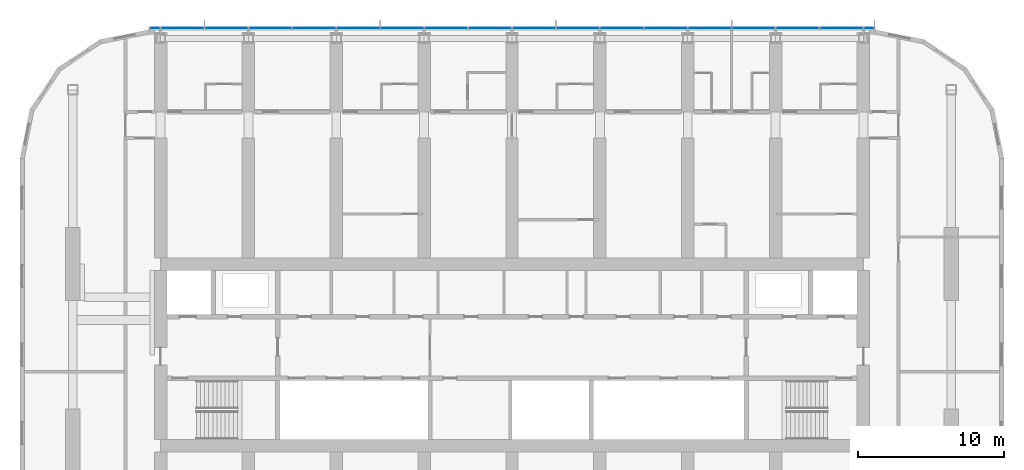
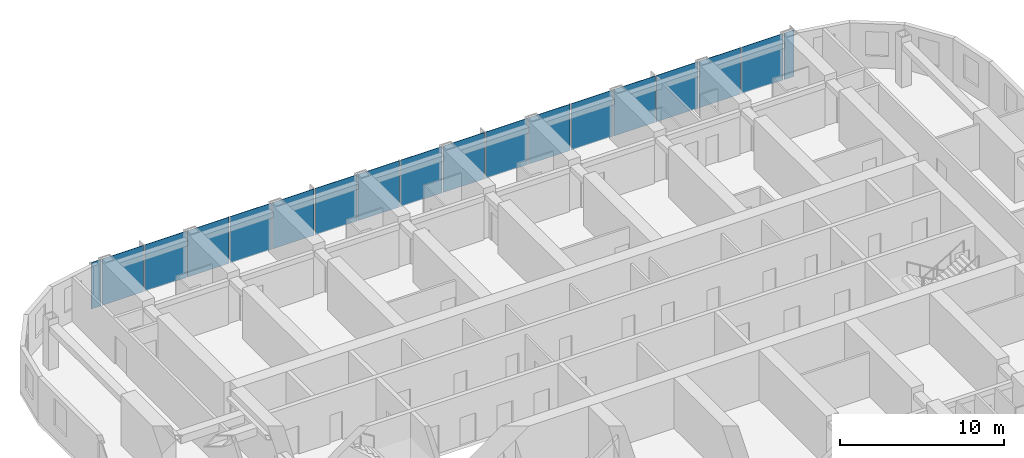
# One storey, part 9 of 22: 18 plates, 1 element without a shape of its own.
"""IFC4 building model written with IfcOpenShell, lengths in metres."""

from ifc_helpers import new_model, si_unit, direction, frame, origin, origin_2d, place, context, subcontext, project, spatial, rectangle, extrude, material, layer, layer_set, type_object, element, aggregate, save


model = new_model("IFC4")

# Units and contexts
model_context = context("Model", 3, precision=1e-05, world=origin(), true_north=direction((0.0, 1.0)))
body_context = subcontext(model_context, "Body", "Model", "MODEL_VIEW")
ifc_project = project(units=[si_unit("LENGTHUNIT", "METRE"), si_unit("AREAUNIT", "SQUARE_METRE"), si_unit("VOLUMEUNIT", "CUBIC_METRE"), si_unit("PLANEANGLEUNIT", "RADIAN"), si_unit("MASSUNIT", "GRAM", prefix="KILO")], contexts=[model_context])

# Site, building, storey
site_placement = place(None, origin())
site = spatial("IfcSite", under=ifc_project, at=site_placement, CompositionType="ELEMENT")
building_placement = place(site_placement, origin())
building = spatial("IfcBuilding", under=site, at=building_placement, Name="Orbita Commons", CompositionType="ELEMENT")
storey_placement = place(building_placement, frame((0.0, 0.0, 189.85009765625)))
storey = spatial("IfcBuildingStorey", under=building, at=storey_placement, Name="L47", CompositionType="ELEMENT", Elevation=189.85009765625)

# Curtain wall, plates
ifc_material_1 = material(Name="Anodised aluminium frame, pale silver", Category="aluminium")
curtain_wall_type = type_object("IfcCurtainWallType", Name="Unitised curtain wall CW-U, full-height vision", PredefinedType="NOTDEFINED", material=ifc_material_1)
curtain_wall_placement = place(storey_placement, origin())
curtain_wall = element("IfcCurtainWall", 1, at=curtain_wall_placement, inside=storey, type_object=curtain_wall_type, Name="Curtain wall north L47", PredefinedType="NOTDEFINED")
ifc_material_2 = material(Name="Clear double glazing", Category="glass")
ifc_layer = layer(ifc_material_2, 0.031982421875)
ifc_layer_set = layer_set([ifc_layer], Name="Clear double glazing")
plate_type = type_object("IfcPlateType", Name="Full-height vision panel, clear glazing 32", PredefinedType="CURTAIN_PANEL", material=ifc_layer_set)
plate_1_placement = place(storey_placement, frame((66.3798828125, 54.31005859375, -0.14990234375), z_axis=(0.0, 0.0, 1.0), x_axis=(-1.0, 0.0, 0.0)))
plate_1 = element("IfcPlate", 2, at=plate_1_placement, type_object=plate_type, Name="Panel 1.1 CW-L47-N", PredefinedType="CURTAIN_PANEL", context=body_context, shape_type="SweptSolid", body=[
    extrude(rectangle(XDim=0.679931640625, YDim=0.031982421875, at=origin_2d()), origin(), (0.0, 0.0, 1.0), 3.449951171875),
])
plate_2_placement = place(storey_placement, frame((64.5, 54.31005859375, -0.14990234375), z_axis=(0.0, 0.0, 1.0), x_axis=(-1.0, 0.0, 0.0)))
plate_2 = element("IfcPlate", 3, at=plate_2_placement, type_object=plate_type, Name="Panel 2.1 CW-L47-N", PredefinedType="CURTAIN_PANEL", context=body_context, shape_type="SweptSolid", body=[
    extrude(rectangle(XDim=2.919921875, YDim=0.031982421875, at=origin_2d()), origin(), (0.0, 0.0, 1.0), 3.449951171875),
])
plate_3_placement = place(storey_placement, frame((61.5, 54.31005859375, -0.14990234375), z_axis=(0.0, 0.0, 1.0), x_axis=(-1.0, 0.0, 0.0)))
plate_3 = element("IfcPlate", 4, at=plate_3_placement, type_object=plate_type, Name="Panel 3.1 CW-L47-N", PredefinedType="CURTAIN_PANEL", context=body_context, shape_type="SweptSolid", body=[
    extrude(rectangle(XDim=2.919921875, YDim=0.031982421875, at=origin_2d()), origin(), (0.0, 0.0, 1.0), 3.449951171875),
])
plate_4_placement = place(storey_placement, frame((58.5, 54.31005859375, -0.14990234375), z_axis=(0.0, 0.0, 1.0), x_axis=(-1.0, 0.0, 0.0)))
plate_4 = element("IfcPlate", 5, at=plate_4_placement, type_object=plate_type, Name="Panel 4.1 CW-L47-N", PredefinedType="CURTAIN_PANEL", context=body_context, shape_type="SweptSolid", body=[
    extrude(rectangle(XDim=2.919921875, YDim=0.031982421875, at=origin_2d()), origin(), (0.0, 0.0, 1.0), 3.449951171875),
])
plate_5_placement = place(storey_placement, frame((55.5, 54.31005859375, -0.14990234375), z_axis=(0.0, 0.0, 1.0), x_axis=(-1.0, 0.0, 0.0)))
plate_5 = element("IfcPlate", 6, at=plate_5_placement, type_object=plate_type, Name="Panel 5.1 CW-L47-N", PredefinedType="CURTAIN_PANEL", context=body_context, shape_type="SweptSolid", body=[
    extrude(rectangle(XDim=2.919921875, YDim=0.031982421875, at=origin_2d()), origin(), (0.0, 0.0, 1.0), 3.449951171875),
])
plate_6_placement = place(storey_placement, frame((52.5, 54.31005859375, -0.14990234375), z_axis=(0.0, 0.0, 1.0), x_axis=(-1.0, 0.0, 0.0)))
plate_6 = element("IfcPlate", 7, at=plate_6_placement, type_object=plate_type, Name="Panel 6.1 CW-L47-N", PredefinedType="CURTAIN_PANEL", context=body_context, shape_type="SweptSolid", body=[
    extrude(rectangle(XDim=2.919921875, YDim=0.031982421875, at=origin_2d()), origin(), (0.0, 0.0, 1.0), 3.449951171875),
])
plate_7_placement = place(storey_placement, frame((49.5, 54.31005859375, -0.14990234375), z_axis=(0.0, 0.0, 1.0), x_axis=(-1.0, 0.0, 0.0)))
plate_7 = element("IfcPlate", 8, at=plate_7_placement, type_object=plate_type, Name="Panel 7.1 CW-L47-N", PredefinedType="CURTAIN_PANEL", context=body_context, shape_type="SweptSolid", body=[
    extrude(rectangle(XDim=2.919921875, YDim=0.031982421875, at=origin_2d()), origin(), (0.0, 0.0, 1.0), 3.449951171875),
])
plate_8_placement = place(storey_placement, frame((46.5, 54.31005859375, -0.14990234375), z_axis=(0.0, 0.0, 1.0), x_axis=(-1.0, 0.0, 0.0)))
plate_8 = element("IfcPlate", 9, at=plate_8_placement, type_object=plate_type, Name="Panel 8.1 CW-L47-N", PredefinedType="CURTAIN_PANEL", context=body_context, shape_type="SweptSolid", body=[
    extrude(rectangle(XDim=2.919921875, YDim=0.031982421875, at=origin_2d()), origin(), (0.0, 0.0, 1.0), 3.449951171875),
])
plate_9_placement = place(storey_placement, frame((43.5, 54.31005859375, -0.14990234375), z_axis=(0.0, 0.0, 1.0), x_axis=(-1.0, 0.0, 0.0)))
plate_9 = element("IfcPlate", 10, at=plate_9_placement, type_object=plate_type, Name="Panel 9.1 CW-L47-N", PredefinedType="CURTAIN_PANEL", context=body_context, shape_type="SweptSolid", body=[
    extrude(rectangle(XDim=2.919921875, YDim=0.031982421875, at=origin_2d()), origin(), (0.0, 0.0, 1.0), 3.449951171875),
])
plate_10_placement = place(storey_placement, frame((40.5, 54.31005859375, -0.14990234375), z_axis=(0.0, 0.0, 1.0), x_axis=(-1.0, 0.0, 0.0)))
plate_10 = element("IfcPlate", 11, at=plate_10_placement, type_object=plate_type, Name="Panel 10.1 CW-L47-N", PredefinedType="CURTAIN_PANEL", context=body_context, shape_type="SweptSolid", body=[
    extrude(rectangle(XDim=2.919921875, YDim=0.031982421875, at=origin_2d()), origin(), (0.0, 0.0, 1.0), 3.449951171875),
])
plate_11_placement = place(storey_placement, frame((37.5, 54.31005859375, -0.14990234375), z_axis=(0.0, 0.0, 1.0), x_axis=(-1.0, 0.0, 0.0)))
plate_11 = element("IfcPlate", 12, at=plate_11_placement, type_object=plate_type, Name="Panel 11.1 CW-L47-N", PredefinedType="CURTAIN_PANEL", context=body_context, shape_type="SweptSolid", body=[
    extrude(rectangle(XDim=2.919921875, YDim=0.031982421875, at=origin_2d()), origin(), (0.0, 0.0, 1.0), 3.449951171875),
])
plate_12_placement = place(storey_placement, frame((34.5, 54.31005859375, -0.14990234375), z_axis=(0.0, 0.0, 1.0), x_axis=(-1.0, 0.0, 0.0)))
plate_12 = element("IfcPlate", 13, at=plate_12_placement, type_object=plate_type, Name="Panel 12.1 CW-L47-N", PredefinedType="CURTAIN_PANEL", context=body_context, shape_type="SweptSolid", body=[
    extrude(rectangle(XDim=2.919921875, YDim=0.031982421875, at=origin_2d()), origin(), (0.0, 0.0, 1.0), 3.449951171875),
])
plate_13_placement = place(storey_placement, frame((31.5, 54.31005859375, -0.14990234375), z_axis=(0.0, 0.0, 1.0), x_axis=(-1.0, 0.0, 0.0)))
plate_13 = element("IfcPlate", 14, at=plate_13_placement, type_object=plate_type, Name="Panel 13.1 CW-L47-N", PredefinedType="CURTAIN_PANEL", context=body_context, shape_type="SweptSolid", body=[
    extrude(rectangle(XDim=2.919921875, YDim=0.031982421875, at=origin_2d()), origin(), (0.0, 0.0, 1.0), 3.449951171875),
])
plate_14_placement = place(storey_placement, frame((28.5, 54.31005859375, -0.14990234375), z_axis=(0.0, 0.0, 1.0), x_axis=(-1.0, 0.0, 0.0)))
plate_14 = element("IfcPlate", 15, at=plate_14_placement, type_object=plate_type, Name="Panel 14.1 CW-L47-N", PredefinedType="CURTAIN_PANEL", context=body_context, shape_type="SweptSolid", body=[
    extrude(rectangle(XDim=2.919921875, YDim=0.031982421875, at=origin_2d()), origin(), (0.0, 0.0, 1.0), 3.449951171875),
])
plate_15_placement = place(storey_placement, frame((25.5, 54.31005859375, -0.14990234375), z_axis=(0.0, 0.0, 1.0), x_axis=(-1.0, 0.0, 0.0)))
plate_15 = element("IfcPlate", 16, at=plate_15_placement, type_object=plate_type, Name="Panel 15.1 CW-L47-N", PredefinedType="CURTAIN_PANEL", context=body_context, shape_type="SweptSolid", body=[
    extrude(rectangle(XDim=2.919921875, YDim=0.031982421875, at=origin_2d()), origin(), (0.0, 0.0, 1.0), 3.449951171875),
])
plate_16_placement = place(storey_placement, frame((22.5, 54.31005859375, -0.14990234375), z_axis=(0.0, 0.0, 1.0), x_axis=(-1.0, 0.0, 0.0)))
plate_16 = element("IfcPlate", 17, at=plate_16_placement, type_object=plate_type, Name="Panel 16.1 CW-L47-N", PredefinedType="CURTAIN_PANEL", context=body_context, shape_type="SweptSolid", body=[
    extrude(rectangle(XDim=2.919921875, YDim=0.031982421875, at=origin_2d()), origin(), (0.0, 0.0, 1.0), 3.449951171875),
])
plate_17_placement = place(storey_placement, frame((19.5, 54.31005859375, -0.14990234375), z_axis=(0.0, 0.0, 1.0), x_axis=(-1.0, 0.0, 0.0)))
plate_17 = element("IfcPlate", 18, at=plate_17_placement, type_object=plate_type, Name="Panel 17.1 CW-L47-N", PredefinedType="CURTAIN_PANEL", context=body_context, shape_type="SweptSolid", body=[
    extrude(rectangle(XDim=2.919921875, YDim=0.031982421875, at=origin_2d()), origin(), (0.0, 0.0, 1.0), 3.449951171875),
])
plate_18_placement = place(storey_placement, frame((17.6201171875, 54.31005859375, -0.14990234375), z_axis=(0.0, 0.0, 1.0), x_axis=(-1.0, 0.0, 0.0)))
plate_18 = element("IfcPlate", 19, at=plate_18_placement, type_object=plate_type, Name="Panel 18.1 CW-L47-N", PredefinedType="CURTAIN_PANEL", context=body_context, shape_type="SweptSolid", body=[
    extrude(rectangle(XDim=0.679931640625, YDim=0.031982421875, at=origin_2d()), origin(), (0.0, 0.0, 1.0), 3.449951171875),
])
aggregate(curtain_wall, [plate_1, plate_2, plate_3, plate_4, plate_5, plate_6, plate_7, plate_8, plate_9, plate_10, plate_11, plate_12, plate_13, plate_14, plate_15, plate_16, plate_17, plate_18])

save(model, "model.ifc")
